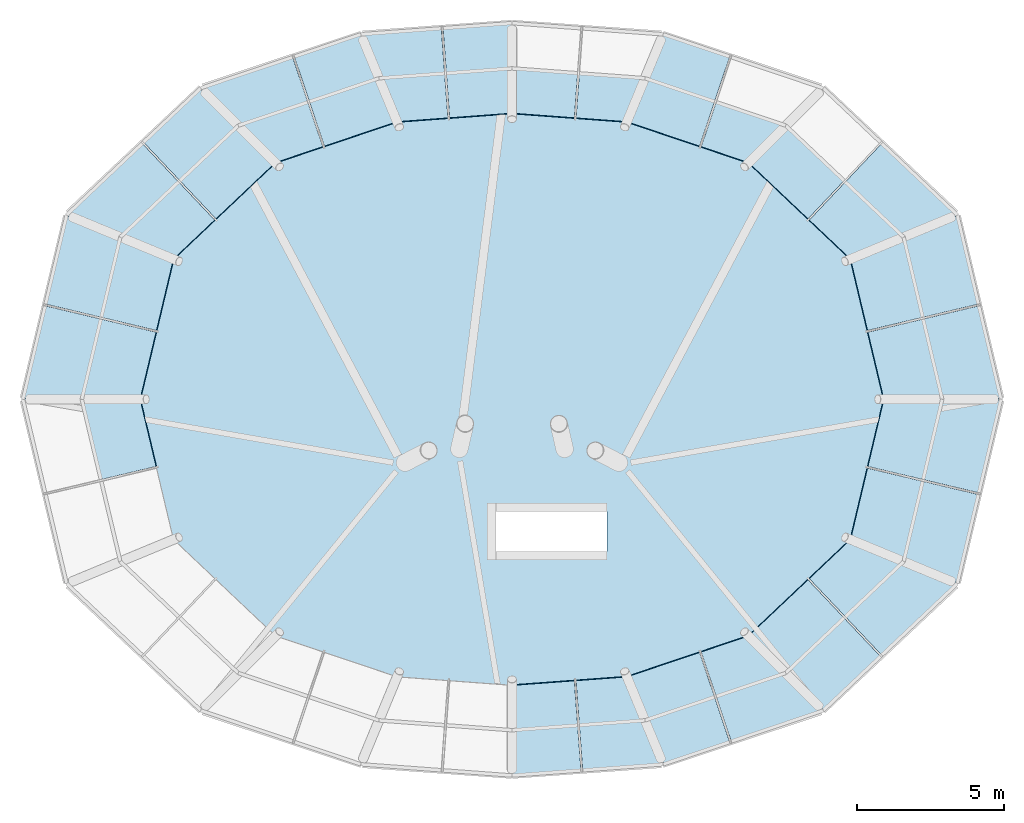
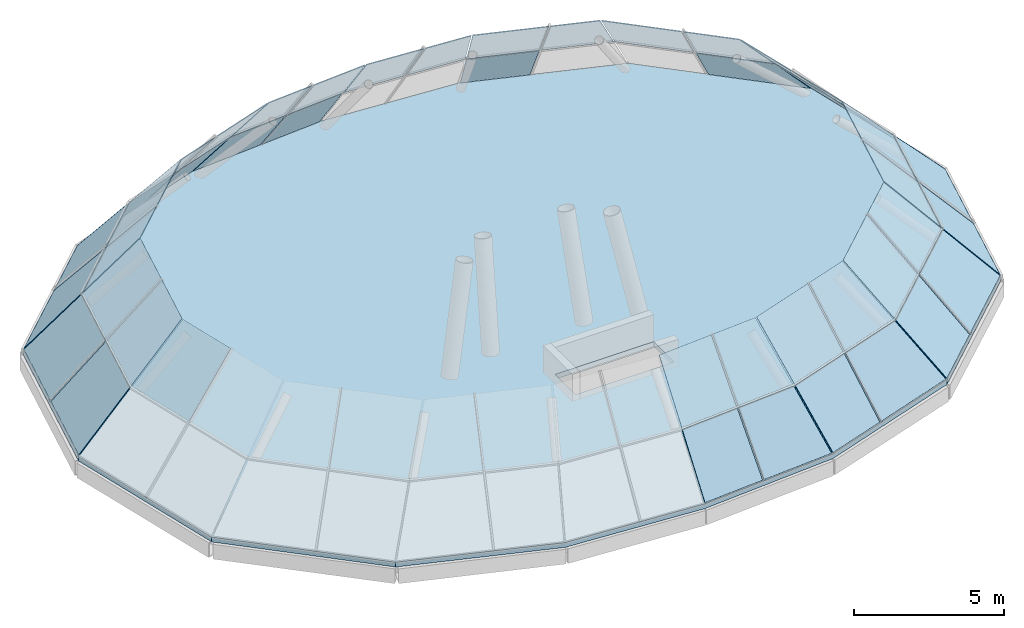
# One storey, part 3 of 4: 45 plates, 1 slab, 13 elements without a shape of their own.
"""IFC4 building model written with IfcOpenShell, lengths in metres."""

from ifc_helpers import new_model, si_unit, direction, frame, origin, place, context, subcontext, project, spatial, polyline, outline, extrude, material, layer, layer_set, type_object, element, aggregate, save


model = new_model("IFC4")

# Units and contexts
model_context = context("Model", 3, precision=1e-05, world=origin(), true_north=direction((0.0, 1.0)))
body_context = subcontext(model_context, "Body", "Model", "MODEL_VIEW")
ifc_project = project(units=[si_unit("LENGTHUNIT", "METRE"), si_unit("AREAUNIT", "SQUARE_METRE"), si_unit("VOLUMEUNIT", "CUBIC_METRE"), si_unit("PLANEANGLEUNIT", "RADIAN"), si_unit("MASSUNIT", "GRAM", prefix="KILO")], contexts=[model_context])

# Site, building, storey
site_placement = place(None, origin())
site = spatial("IfcSite", under=ifc_project, at=site_placement, CompositionType="ELEMENT")
building_placement = place(site_placement, origin())
building = spatial("IfcBuilding", under=site, at=building_placement, Name="Rubra Terraces Tower", CompositionType="ELEMENT")
storey_placement = place(building_placement, frame((0.0, 0.0, 324.60009765625)))
storey = spatial("IfcBuildingStorey", under=building, at=storey_placement, Name="L80", CompositionType="ELEMENT", Elevation=324.60009765625)

# Curtain wall, plates
ifc_material_1 = material(Name="Aluminium and glass", Category="aluminium")
curtain_wall_type = type_object("IfcCurtainWallType", Name="Curtain wall Crown glazing", PredefinedType="NOTDEFINED", material=ifc_material_1)
curtain_wall_1_placement = place(storey_placement, origin())
curtain_wall_1 = element("IfcCurtainWall", 1, at=curtain_wall_1_placement, inside=storey, type_object=curtain_wall_type, Name="Crown glazing L80 facet 1", PredefinedType="NOTDEFINED")
ifc_material_2 = material(Name="Clear glass, laminated", Category="glass")
ifc_layer_1 = layer(ifc_material_2, 0.028076171875)
ifc_layer_set_1 = layer_set([ifc_layer_1], Name="Clear glass, laminated")
plate_type = type_object("IfcPlateType", Name="Crown glazing glass panel 28", PredefinedType="CURTAIN_PANEL", material=ifc_layer_set_1)
plate_1_placement = place(storey_placement, frame((16.627197265625, 0.029296875, 0.021484375), z_axis=(0.71285843792, 0.169347693749, 0.680554337366), x_axis=(-0.231120588335, 0.972925112, -9.348755e-06)))
plate_1 = element("IfcPlate", 2, at=plate_1_placement, type_object=plate_type, Name="Crown glazing L80 facet 1 panel 1.1", PredefinedType="CURTAIN_PANEL", context=body_context, shape_type="SweptSolid", body=[
    extrude(outline(polyline([(0.0, 0.0), (3.237802080904114, -5.551115123125783e-17), (3.237898194817458, 2.80698456710087), (0.4537580609084077, 2.806907730954159), (0.0, 0.0)])), origin(), (0.0, 0.0, -1.0), 0.028076171875),
])
plate_2_placement = place(storey_placement, frame((14.622314453125, 0.029296875, 2.12158203125), z_axis=(0.712816667413, 0.16931370534, 0.680606544079), x_axis=(-0.23108467886, 0.972933641612, -1.4676961e-05)))
plate_2 = element("IfcPlate", 3, at=plate_2_placement, type_object=plate_type, Name="Crown glazing L80 facet 1 panel 1.2", PredefinedType="CURTAIN_PANEL", context=body_context, shape_type="SweptSolid", body=[
    extrude(outline(polyline([(0.0, 0.0), (2.774549717283288, 5.551115123125783e-17), (2.7743832496184133, 2.807184626951604), (0.4537330159550948, 2.807082556190945), (0.0, 0.0)])), origin(), (0.0, 0.0, -1.0), 0.028076171875),
])
plate_3_placement = place(storey_placement, frame((15.865234375, 3.23779296875, 0.021484375), z_axis=(0.712814782191, 0.169324731826, 0.680605775381), x_axis=(-0.23111703747, 0.972925955543, 4.722581e-06)))
plate_3 = element("IfcPlate", 4, at=plate_3_placement, type_object=plate_type, Name="Crown glazing L80 facet 1 panel 2.1", PredefinedType="CURTAIN_PANEL", context=body_context, shape_type="SweptSolid", body=[
    extrude(outline(polyline([(0.0, 0.0), (3.089759429979913, -1.1102230246251565e-16), (2.7827766055673635, 2.8071083744738665), (0.0001745065171635438, 2.8071462270734004), (0.0, 0.0)])), origin(), (0.0, 0.0, -1.0), 0.028076171875),
])
plate_4_placement = place(storey_placement, frame((13.96728515625, 2.787109375, 2.12158203125), z_axis=(0.712806277021, 0.169317920075, 0.680616377544), x_axis=(-0.231111487954, 0.972927273801, 5.431725e-06)))
plate_4 = element("IfcPlate", 5, at=plate_4_placement, type_object=plate_type, Name="Crown glazing L80 facet 1 panel 2.2", PredefinedType="CURTAIN_PANEL", context=body_context, shape_type="SweptSolid", body=[
    extrude(outline(polyline([(0.0, 0.0), (2.7760877491224365, 5.551115123125783e-17), (2.468857954617071, 2.807145745420636), (-7.246390789254017e-05, 2.8071846315023343), (0.0, 0.0)])), origin(), (0.0, 0.0, -1.0), 0.028076171875),
])
aggregate(curtain_wall_1, [plate_1, plate_2, plate_3, plate_4])

curtain_wall_2_placement = place(storey_placement, origin())
curtain_wall_2 = element("IfcCurtainWall", 6, at=curtain_wall_2_placement, inside=storey, type_object=curtain_wall_type, Name="Crown glazing L80 facet 2", PredefinedType="NOTDEFINED")
plate_5_placement = place(storey_placement, frame((15.122314453125, 6.293701171875, 0.021728515625), z_axis=(0.521231300107, 0.551218643577, 0.651518179917), x_axis=(-0.726594927742, 0.687066089236, 5.84914e-07)))
plate_5 = element("IfcPlate", 7, at=plate_5_placement, type_object=plate_type, Name="Crown glazing L80 facet 2 panel 1.1", PredefinedType="CURTAIN_PANEL", context=body_context, shape_type="SweptSolid", body=[
    extrude(outline(polyline([(0.0, 0.0), (3.5018575796768907, -2.220446049250313e-16), (3.501848388412665, 2.71065769343857), (0.7902706555404615, 2.7106624840606326), (0.0, 0.0)])), origin(), (0.0, 0.0, -1.0), 0.028076171875),
])
plate_6_placement = place(storey_placement, frame((13.296630859375, 5.53759765625, 2.12158203125), z_axis=(0.5212496405, 0.55120790489, 0.651512592254), x_axis=(-0.726558771583, 0.687104322937, -2.8910872e-05)))
plate_6 = element("IfcPlate", 8, at=plate_6_placement, type_object=plate_type, Name="Crown glazing L80 facet 2 panel 1.2", PredefinedType="CURTAIN_PANEL", context=body_context, shape_type="SweptSolid", body=[
    extrude(outline(polyline([(0.0, 0.0), (2.6949920990184832, 1.1102230246251565e-16), (2.694838945373474, 2.71106776126842), (0.7901170588863585, 2.7108924711093687), (0.0, 0.0)])), origin(), (0.0, 0.0, -1.0), 0.028076171875),
])
plate_7_placement = place(storey_placement, frame((11.295166015625, 7.430419921875, 2.12158203125), z_axis=(0.521256221308, 0.551227520612, 0.651490730761), x_axis=(-0.726592683083, 0.687068462861, 1.5213018e-05)))
plate_7 = element("IfcPlate", 9, at=plate_7_placement, type_object=plate_type, Name="Crown glazing L80 facet 2 panel 2.2", PredefinedType="CURTAIN_PANEL", context=body_context, shape_type="SweptSolid", body=[
    extrude(outline(polyline([(0.0, 0.0), (2.7038074352250394, -2.220446049250313e-16), (2.753215049809622, 2.71084276702722), (0.00019251495863989833, 2.7109521905168386), (0.0, 0.0)])), origin(), (0.0, 0.0, -1.0), 0.028076171875),
])
aggregate(curtain_wall_2, [plate_5, plate_6, plate_7])

curtain_wall_3_placement = place(storey_placement, origin())
curtain_wall_3 = element("IfcCurtainWall", 10, at=curtain_wall_3_placement, inside=storey, type_object=curtain_wall_type, Name="Crown glazing L80 facet 3", PredefinedType="NOTDEFINED")
plate_8_placement = place(storey_placement, frame((9.27978515625, 9.31787109375, 2.122802734375), z_axis=(0.252543427006, 0.751124807268, 0.609945359342), x_axis=(-0.947865497263, 0.318670673942, 2.5826039e-05)))
plate_8 = element("IfcPlate", 11, at=plate_8_placement, type_object=plate_type, Name="Crown glazing L80 facet 3 panel 1.2", PredefinedType="CURTAIN_PANEL", context=body_context, shape_type="SweptSolid", body=[
    extrude(outline(polyline([(0.0, 0.0), (2.459497191582495, 1.6653345369377348e-16), (2.4596463834739977, 2.5921542239064874), (0.785393496401433, 2.5922889444197432), (0.0, 0.0)])), origin(), (0.0, 0.0, -1.0), 0.028076171875),
])
plate_9_placement = place(storey_placement, frame((7.406494140625, 11.652587890625, 0.022705078125), z_axis=(0.25257472231, 0.751149205905, 0.609902352937), x_axis=(-0.947854864341, 0.318702299659, 1.8363337e-05)))
plate_9 = element("IfcPlate", 12, at=plate_9_placement, type_object=plate_type, Name="Crown glazing L80 facet 3 panel 2.1", PredefinedType="CURTAIN_PANEL", context=body_context, shape_type="SweptSolid", body=[
    extrude(outline(polyline([(0.0, 0.0), (2.3588230537804526, 5.551115123125783e-17), (2.467067272396559, 2.5923770171735088), (3.3080753867012586e-06, 2.5924888430531956), (0.0, 0.0)])), origin(), (0.0, 0.0, -1.0), 0.028076171875),
])
plate_10_placement = place(storey_placement, frame((6.8916015625, 10.12060546875, 2.122802734375), z_axis=(0.252550558825, 0.751135726407, 0.609928959594), x_axis=(-0.94785478457, 0.31870253719, -1.2470717e-05)))
plate_10 = element("IfcPlate", 13, at=plate_10_placement, type_object=plate_type, Name="Crown glazing L80 facet 3 panel 2.2", PredefinedType="CURTAIN_PANEL", context=body_context, shape_type="SweptSolid", body=[
    extrude(outline(polyline([(0.0, 0.0), (2.4696114878814104, -5.551115123125783e-17), (2.57802337643436, 2.5922336630521756), (1.7376334209893265e-05, 2.592154229741701), (0.0, 0.0)])), origin(), (0.0, 0.0, -1.0), 0.028076171875),
])
aggregate(curtain_wall_3, [plate_8, plate_9, plate_10])

curtain_wall_4_placement = place(storey_placement, origin())
curtain_wall_4 = element("IfcCurtainWall", 14, at=curtain_wall_4_placement, inside=storey, type_object=curtain_wall_type, Name="Crown glazing L80 facet 4", PredefinedType="NOTDEFINED")
plate_11_placement = place(storey_placement, frame((4.4921875, 10.9189453125, 2.123779296875), z_axis=(0.059536778857, 0.80452658226, 0.590924995579), x_axis=(-0.997271714306, 0.07381820409, -2.4304149e-05)))
plate_11 = element("IfcPlate", 15, at=plate_11_placement, type_object=plate_type, Name="Crown glazing L80 facet 4 panel 1.2", PredefinedType="CURTAIN_PANEL", context=body_context, shape_type="SweptSolid", body=[
    extrude(outline(polyline([(0.0, 0.0), (2.2049958674022205, -1.3877787807814457e-17), (2.2050536647690797, 2.543984461459717), (0.49654548912212165, 2.543866559807763), (0.0, 0.0)])), origin(), (0.0, 0.0, -1.0), 0.028076171875),
])
plate_12_placement = place(storey_placement, frame((2.2333984375, 11.086181640625, 2.123779296875), z_axis=(0.059571962352, 0.804518665775, 0.590932227688), x_axis=(-0.997270746102, 0.073831284963, 1.8155162e-05)))
plate_12 = element("IfcPlate", 16, at=plate_12_placement, type_object=plate_type, Name="Crown glazing L80 facet 4 panel 2.2", PredefinedType="CURTAIN_PANEL", context=body_context, shape_type="SweptSolid", body=[
    extrude(outline(polyline([(0.0, 0.0), (2.2096399054377747, -2.7755575615628914e-17), (2.0983894803717917, 2.543887510888892), (0.00012521504149981105, 2.5439844597454147), (0.0, 0.0)])), origin(), (0.0, 0.0, -1.0), 0.028076171875),
])
aggregate(curtain_wall_4, [plate_11, plate_12])

curtain_wall_5_placement = place(storey_placement, origin())
curtain_wall_5 = element("IfcCurtainWall", 17, at=curtain_wall_5_placement, inside=storey, type_object=curtain_wall_type, Name="Crown glazing L80 facet 5", PredefinedType="NOTDEFINED")
plate_13_placement = place(storey_placement, frame((-0.02978515625, 12.791015625, 0.024169921875), z_axis=(-0.059540643361, 0.804558686294, 0.590880895018), x_axis=(-0.997273699862, -0.073791377136, -1.4934056e-05)))
plate_13 = element("IfcPlate", 18, at=plate_13_placement, type_object=plate_type, Name="Crown glazing L80 facet 5 panel 1.1", PredefinedType="CURTAIN_PANEL", context=body_context, shape_type="SweptSolid", body=[
    extrude(outline(polyline([(0.0, 0.0), (2.323224843370155, 1.3877787807814457e-17), (2.3232355177480857, 2.542951322343405), (0.11114284605347767, 2.5428673682723706), (0.0, 0.0)])), origin(), (0.0, 0.0, -1.0), 0.028076171875),
])
plate_14_placement = place(storey_placement, frame((-0.02978515625, 11.248779296875, 2.1240234375), z_axis=(-0.059533288081, 0.80461387893, 0.590806477151), x_axis=(-0.997273461418, -0.07379460057, 8.787199e-06)))
plate_14 = element("IfcPlate", 19, at=plate_14_placement, type_object=plate_type, Name="Crown glazing L80 facet 5 panel 1.2", PredefinedType="CURTAIN_PANEL", context=body_context, shape_type="SweptSolid", body=[
    extrude(outline(polyline([(0.0, 0.0), (2.209639906236211, 1.3877787807814457e-17), (2.2094426128715403, 2.5430150806153824), (0.11119636907789862, 2.543061998848956), (0.0, 0.0)])), origin(), (0.0, 0.0, -1.0), 0.028076171875),
])
plate_15_placement = place(storey_placement, frame((-2.406494140625, 12.615234375, 0.024169921875), z_axis=(-0.059536752937, 0.804545315701, 0.590899492328), x_axis=(-0.997273156295, -0.073798724466, 2.1249e-08)))
plate_15 = element("IfcPlate", 20, at=plate_15_placement, type_object=plate_type, Name="Crown glazing L80 facet 5 panel 2.1", PredefinedType="CURTAIN_PANEL", context=body_context, shape_type="SweptSolid", body=[
    extrude(outline(polyline([(0.0, 0.0), (2.7127194333423694, -1.3877787807814457e-17), (2.2165456637848022, 2.5429511926691823), (5.242587223602964e-05, 2.5429513225033036), (0.0, 0.0)])), origin(), (0.0, 0.0, -1.0), 0.028076171875),
])
plate_16_placement = place(storey_placement, frame((-2.293212890625, 11.081298828125, 2.1240234375), z_axis=(-0.059542184536, 0.804599629749, 0.590824985989), x_axis=(-0.997274349007, -0.073782601041, -2.4440135e-05)))
plate_16 = element("IfcPlate", 21, at=plate_16_placement, type_object=plate_type, Name="Crown glazing L80 facet 5 panel 2.2", PredefinedType="CURTAIN_PANEL", context=body_context, shape_type="SweptSolid", body=[
    extrude(outline(polyline([(0.0, 0.0), (2.204734374864671, 0.0), (1.7084861229726995, 2.5431336216046176), (-0.0002835451922046242, 2.543015071038009), (0.0, 0.0)])), origin(), (0.0, 0.0, -1.0), 0.028076171875),
])
aggregate(curtain_wall_5, [plate_13, plate_14, plate_15, plate_16])

curtain_wall_6_placement = place(storey_placement, origin())
curtain_wall_6 = element("IfcCurtainWall", 22, at=curtain_wall_6_placement, inside=storey, type_object=curtain_wall_type, Name="Crown glazing L80 facet 6", PredefinedType="NOTDEFINED")
plate_17_placement = place(storey_placement, frame((-5.17041015625, 12.403564453125, 0.023681640625), z_axis=(-0.252577156152, 0.751156444075, 0.609892430446), x_axis=(-0.947854864195, -0.318702300095, -1.8363215e-05)))
plate_17 = element("IfcPlate", 23, at=plate_17_placement, type_object=plate_type, Name="Crown glazing L80 facet 6 panel 1.1", PredefinedType="CURTAIN_PANEL", context=body_context, shape_type="SweptSolid", body=[
    extrude(outline(polyline([(0.0, 0.0), (2.358823053780432, 0.0), (2.3588157532335616, 2.5899993011398212), (-0.10824821108767366, 2.589887477079428), (0.0, 0.0)])), origin(), (0.0, 0.0, -1.0), 0.028076171875),
])
plate_18_placement = place(storey_placement, frame((-4.55029296875, 10.906982421875, 2.123779296875), z_axis=(-0.252516442579, 0.751148258231, 0.609927651762), x_axis=(-0.947875068224, -0.318642205186, -1.0661614e-05)))
plate_18 = element("IfcPlate", 24, at=plate_18_placement, type_object=plate_type, Name="Crown glazing L80 facet 6 panel 1.2", PredefinedType="CURTAIN_PANEL", context=body_context, shape_type="SweptSolid", body=[
    extrude(outline(polyline([(0.0, 0.0), (2.4695336868763635, 5.551115123125783e-17), (2.4696734591593597, 2.5897583826989288), (-0.10833254140320743, 2.589690473762774), (0.0, 0.0)])), origin(), (0.0, 0.0, -1.0), 0.028076171875),
])
plate_19_placement = place(storey_placement, frame((-7.463134765625, 11.6328125, 0.023681640625), z_axis=(-0.252576637186, 0.751156784072, 0.609892226619), x_axis=(-0.947847314142, -0.318724754129, 1.3402605e-05)))
plate_19 = element("IfcPlate", 25, at=plate_19_placement, type_object=plate_type, Name="Crown glazing L80 facet 6 panel 2.1", PredefinedType="CURTAIN_PANEL", context=body_context, shape_type="SweptSolid", body=[
    extrude(outline(polyline([(0.0, 0.0), (3.262191152695558, 1.1102230246251565e-16), (2.4776585938950664, 2.589902227862134), (9.532007110911597e-05, 2.5899992993777188), (0.0, 0.0)])), origin(), (0.0, 0.0, -1.0), 0.028076171875),
])
plate_20_placement = place(storey_placement, frame((-6.947998046875, 10.100830078125, 2.123779296875), z_axis=(-0.252539094438, 0.751158722337, 0.609905385807), x_axis=(-0.947865513634, -0.318670626292, -1.439519e-06)))
plate_20 = element("IfcPlate", 26, at=plate_20_placement, type_object=plate_type, Name="Crown glazing L80 facet 6 panel 2.2", PredefinedType="CURTAIN_PANEL", context=body_context, shape_type="SweptSolid", body=[
    extrude(outline(polyline([(0.0, 0.0), (2.45926577992541, 0.0), (1.6746125608966398, 2.5896721962024323), (-0.0001031516820696157, 2.5896646868788626), (0.0, 0.0)])), origin(), (0.0, 0.0, -1.0), 0.028076171875),
])
aggregate(curtain_wall_6, [plate_17, plate_18, plate_19, plate_20])

curtain_wall_7_placement = place(storey_placement, origin())
curtain_wall_7 = element("IfcCurtainWall", 27, at=curtain_wall_7_placement, inside=storey, type_object=curtain_wall_type, Name="Crown glazing L80 facet 7", PredefinedType="NOTDEFINED")
plate_21_placement = place(storey_placement, frame((-10.60595703125, 10.563720703125, 0.022705078125), z_axis=(-0.521221781612, 0.551131350479, 0.651599638499), x_axis=(-0.726536551795, -0.687127818255, 1.6891497e-05)))
plate_21 = element("IfcPlate", 28, at=plate_21_placement, type_object=plate_type, Name="Crown glazing L80 facet 7 panel 1.1", PredefinedType="CURTAIN_PANEL", context=body_context, shape_type="SweptSolid", body=[
    extrude(outline(polyline([(0.0, 0.0), (2.653369912037377, 2.220446049250313e-16), (2.6536035368456026, 2.7082765475998487), (-0.04899110957485977, 2.7083958129146812), (0.0, 0.0)])), origin(), (0.0, 0.0, -1.0), 0.028076171875),
])
plate_22_placement = place(storey_placement, frame((-9.330078125, 9.28759765625, 2.122802734375), z_axis=(-0.521193790921, 0.551127562073, 0.651625231731), x_axis=(-0.726562433245, -0.687100451606, 2.57616e-07)))
plate_22 = element("IfcPlate", 29, at=plate_22_placement, type_object=plate_type, Name="Crown glazing L80 facet 7 panel 1.2", PredefinedType="CURTAIN_PANEL", context=body_context, shape_type="SweptSolid", body=[
    extrude(outline(polyline([(0.0, 0.0), (2.703630047402002, 1.1102230246251565e-16), (2.7037630298042257, 2.7080913598582135), (-0.04925950794451361, 2.7080932130503226), (0.0, 0.0)])), origin(), (0.0, 0.0, -1.0), 0.028076171875),
])
plate_23_placement = place(storey_placement, frame((-12.577392578125, 8.69921875, 0.022705078125), z_axis=(-0.521216930383, 0.551173639466, 0.651567748312), x_axis=(-0.726571083135, -0.687091304763, 8.388131e-06)))
plate_23 = element("IfcPlate", 30, at=plate_23_placement, type_object=plate_type, Name="Crown glazing L80 facet 7 panel 2.1", PredefinedType="CURTAIN_PANEL", context=body_context, shape_type="SweptSolid", body=[
    extrude(outline(polyline([(0.0, 0.0), (3.50133505942546, 0.0), (2.712050334430776, 2.7082078519360637), (0.0001274706763889154, 2.7082765551749945), (0.0, 0.0)])), origin(), (0.0, 0.0, -1.0), 0.028076171875),
])
plate_24_placement = place(storey_placement, frame((-11.338134765625, 7.388671875, 2.122802734375), z_axis=(-0.521209678618, 0.551125382844, 0.651614367014), x_axis=(-0.72656459476, -0.687098165544, -2.3417827e-05)))
plate_24 = element("IfcPlate", 31, at=plate_24_placement, type_object=plate_type, Name="Crown glazing L80 facet 7 panel 2.2", PredefinedType="CURTAIN_PANEL", context=body_context, shape_type="SweptSolid", body=[
    extrude(outline(polyline([(0.0, 0.0), (2.6944792174547336, 2.220446049250313e-16), (1.9049684334548218, 2.7081177688556215), (-8.895212553096084e-05, 2.707975772814569), (0.0, 0.0)])), origin(), (0.0, 0.0, -1.0), 0.028076171875),
])
aggregate(curtain_wall_7, [plate_21, plate_22, plate_23, plate_24])

curtain_wall_8_placement = place(storey_placement, origin())
curtain_wall_8 = element("IfcCurtainWall", 32, at=curtain_wall_8_placement, inside=storey, type_object=curtain_wall_type, Name="Crown glazing L80 facet 8", PredefinedType="NOTDEFINED")
plate_25_placement = place(storey_placement, frame((-15.15087890625, 6.243896484375, 0.021728515625), z_axis=(-0.712857694972, 0.169334925491, 0.680558292675), x_axis=(-0.231117036874, -0.972925955684, -4.722535e-06)))
plate_25 = element("IfcPlate", 33, at=plate_25_placement, type_object=plate_type, Name="Crown glazing L80 facet 8 panel 1.1", PredefinedType="CURTAIN_PANEL", context=body_context, shape_type="SweptSolid", body=[
    extrude(outline(polyline([(0.0, 0.0), (3.089759429979904, -5.551115123125783e-17), (3.089697775993785, 2.806644032778374), (0.307095676943559, 2.80660618281964), (0.0, 0.0)])), origin(), (0.0, 0.0, -1.0), 0.028076171875),
])
plate_26_placement = place(storey_placement, frame((-13.325439453125, 5.488037109375, 2.12158203125), z_axis=(-0.712895366951, 0.169330981051, 0.680519812082), x_axis=(-0.231105867617, -0.972928608808, -1.0795391e-05)))
plate_26 = element("IfcPlate", 34, at=plate_26_placement, type_object=plate_type, Name="Crown glazing L80 facet 8 panel 1.2", PredefinedType="CURTAIN_PANEL", context=body_context, shape_type="SweptSolid", body=[
    extrude(outline(polyline([(0.0, 0.0), (2.776087748861541, -5.551115123125783e-17), (2.776273063475116, 2.8068613154484794), (0.3071051134535026, 2.8067840364909475), (0.0, 0.0)])), origin(), (0.0, 0.0, -1.0), 0.028076171875),
])
plate_27_placement = place(storey_placement, frame((-15.87890625, 3.179443359375, 0.021728515625), z_axis=(-0.712844901606, 0.169314773696, 0.680576706671), x_axis=(-0.231099986627, -0.972930005743, -1.03199e-05)))
plate_27 = element("IfcPlate", 35, at=plate_27_placement, type_object=plate_type, Name="Crown glazing L80 facet 8 panel 2.1", PredefinedType="CURTAIN_PANEL", context=body_context, shape_type="SweptSolid", body=[
    extrude(outline(polyline([(0.0, 0.0), (3.2378020808373726, -5.551115123125783e-17), (2.7840440200530945, 2.8067288522976623), (-3.969051269142067e-05, 2.8066440328273883), (0.0, 0.0)])), origin(), (0.0, 0.0, -1.0), 0.028076171875),
])
plate_28_placement = place(storey_placement, frame((-13.98095703125, 2.728515625, 2.12158203125), z_axis=(-0.712875615765, 0.169371156937, 0.680530504566), x_axis=(-0.231162557488, -0.972915141175, -9.385984e-06)))
plate_28 = element("IfcPlate", 36, at=plate_28_placement, type_object=plate_type, Name="Crown glazing L80 facet 8 panel 2.2", PredefinedType="CURTAIN_PANEL", context=body_context, shape_type="SweptSolid", body=[
    extrude(outline(polyline([(0.0, 0.0), (2.7743686131229093, 0.0), (2.320489620239314, 2.806888178795628), (-0.00016061520679242492, 2.8068229126862416), (0.0, 0.0)])), origin(), (0.0, 0.0, -1.0), 0.028076171875),
])
aggregate(curtain_wall_8, [plate_25, plate_26, plate_27, plate_28])

# Curtain wall, plate
curtain_wall_9_placement = place(storey_placement, origin())
curtain_wall_9 = element("IfcCurtainWall", 37, at=curtain_wall_9_placement, inside=storey, type_object=curtain_wall_type, Name="Crown glazing L80 facet 9", PredefinedType="NOTDEFINED")
plate_29_placement = place(storey_placement, frame((-14.622314453125, -0.029296875, 2.12158203125), z_axis=(-0.712816667413, -0.16931370534, 0.680606544079), x_axis=(0.23108467886, -0.972933641612, -1.4676961e-05)))
plate_29 = element("IfcPlate", 38, at=plate_29_placement, type_object=plate_type, Name="Crown glazing L80 facet 9 panel 1.2", PredefinedType="CURTAIN_PANEL", context=body_context, shape_type="SweptSolid", body=[
    extrude(outline(polyline([(0.0, 0.0), (2.774549717283288, 5.551115123125783e-17), (2.7743832496184133, 2.807184626951604), (0.4537330159550948, 2.807082556190945), (0.0, 0.0)])), origin(), (0.0, 0.0, -1.0), 0.028076171875),
])
aggregate(curtain_wall_9, [plate_29])

# Curtain wall, plates
curtain_wall_10_placement = place(storey_placement, origin())
curtain_wall_10 = element("IfcCurtainWall", 39, at=curtain_wall_10_placement, inside=storey, type_object=curtain_wall_type, Name="Crown glazing L80 facet 13", PredefinedType="NOTDEFINED")
plate_30_placement = place(storey_placement, frame((0.02978515625, -12.791015625, 0.024169921875), z_axis=(0.059540643361, -0.804558686294, 0.590880895018), x_axis=(0.997273699862, 0.073791377136, -1.4934056e-05)))
plate_30 = element("IfcPlate", 40, at=plate_30_placement, type_object=plate_type, Name="Crown glazing L80 facet 13 panel 1.1", PredefinedType="CURTAIN_PANEL", context=body_context, shape_type="SweptSolid", body=[
    extrude(outline(polyline([(0.0, 0.0), (2.323224843370155, 1.3877787807814457e-17), (2.3232355177480857, 2.542951322343405), (0.11114284605347767, 2.5428673682723706), (0.0, 0.0)])), origin(), (0.0, 0.0, -1.0), 0.028076171875),
])
plate_31_placement = place(storey_placement, frame((0.02978515625, -11.248779296875, 2.1240234375), z_axis=(0.059533288081, -0.80461387893, 0.590806477151), x_axis=(0.997273461418, 0.07379460057, 8.787199e-06)))
plate_31 = element("IfcPlate", 41, at=plate_31_placement, type_object=plate_type, Name="Crown glazing L80 facet 13 panel 1.2", PredefinedType="CURTAIN_PANEL", context=body_context, shape_type="SweptSolid", body=[
    extrude(outline(polyline([(0.0, 0.0), (2.209639906236211, 1.3877787807814457e-17), (2.2094426128715403, 2.5430150806153824), (0.11119636907789862, 2.543061998848956), (0.0, 0.0)])), origin(), (0.0, 0.0, -1.0), 0.028076171875),
])
plate_32_placement = place(storey_placement, frame((2.406494140625, -12.615234375, 0.024169921875), z_axis=(0.059536752937, -0.804545315701, 0.590899492328), x_axis=(0.997273156295, 0.073798724466, 2.1249e-08)))
plate_32 = element("IfcPlate", 42, at=plate_32_placement, type_object=plate_type, Name="Crown glazing L80 facet 13 panel 2.1", PredefinedType="CURTAIN_PANEL", context=body_context, shape_type="SweptSolid", body=[
    extrude(outline(polyline([(0.0, 0.0), (2.7127194333423694, -1.3877787807814457e-17), (2.2165456637848022, 2.5429511926691823), (5.242587223602964e-05, 2.5429513225033036), (0.0, 0.0)])), origin(), (0.0, 0.0, -1.0), 0.028076171875),
])
plate_33_placement = place(storey_placement, frame((2.293212890625, -11.081298828125, 2.1240234375), z_axis=(0.059542184536, -0.804599629749, 0.590824985989), x_axis=(0.997274349007, 0.073782601041, -2.4440135e-05)))
plate_33 = element("IfcPlate", 43, at=plate_33_placement, type_object=plate_type, Name="Crown glazing L80 facet 13 panel 2.2", PredefinedType="CURTAIN_PANEL", context=body_context, shape_type="SweptSolid", body=[
    extrude(outline(polyline([(0.0, 0.0), (2.204734374864671, 0.0), (1.7084861229726995, 2.5431336216046176), (-0.0002835451922046242, 2.543015071038009), (0.0, 0.0)])), origin(), (0.0, 0.0, -1.0), 0.028076171875),
])
aggregate(curtain_wall_10, [plate_30, plate_31, plate_32, plate_33])

curtain_wall_11_placement = place(storey_placement, origin())
curtain_wall_11 = element("IfcCurtainWall", 44, at=curtain_wall_11_placement, inside=storey, type_object=curtain_wall_type, Name="Crown glazing L80 facet 14", PredefinedType="NOTDEFINED")
plate_34_placement = place(storey_placement, frame((5.17041015625, -12.403564453125, 0.023681640625), z_axis=(0.252577156152, -0.751156444075, 0.609892430446), x_axis=(0.947854864195, 0.318702300095, -1.8363215e-05)))
plate_34 = element("IfcPlate", 45, at=plate_34_placement, type_object=plate_type, Name="Crown glazing L80 facet 14 panel 1.1", PredefinedType="CURTAIN_PANEL", context=body_context, shape_type="SweptSolid", body=[
    extrude(outline(polyline([(0.0, 0.0), (2.358823053780432, 0.0), (2.3588157532335616, 2.5899993011398212), (-0.10824821108767366, 2.589887477079428), (0.0, 0.0)])), origin(), (0.0, 0.0, -1.0), 0.028076171875),
])
plate_35_placement = place(storey_placement, frame((4.55029296875, -10.906982421875, 2.123779296875), z_axis=(0.252516442579, -0.751148258231, 0.609927651762), x_axis=(0.947875068224, 0.318642205186, -1.0661614e-05)))
plate_35 = element("IfcPlate", 46, at=plate_35_placement, type_object=plate_type, Name="Crown glazing L80 facet 14 panel 1.2", PredefinedType="CURTAIN_PANEL", context=body_context, shape_type="SweptSolid", body=[
    extrude(outline(polyline([(0.0, 0.0), (2.4695336868763635, 5.551115123125783e-17), (2.4696734591593597, 2.5897583826989288), (-0.10833254140320743, 2.589690473762774), (0.0, 0.0)])), origin(), (0.0, 0.0, -1.0), 0.028076171875),
])
plate_36_placement = place(storey_placement, frame((7.463134765625, -11.6328125, 0.023681640625), z_axis=(0.252576637186, -0.751156784072, 0.609892226619), x_axis=(0.947847314142, 0.318724754129, 1.3402605e-05)))
plate_36 = element("IfcPlate", 47, at=plate_36_placement, type_object=plate_type, Name="Crown glazing L80 facet 14 panel 2.1", PredefinedType="CURTAIN_PANEL", context=body_context, shape_type="SweptSolid", body=[
    extrude(outline(polyline([(0.0, 0.0), (3.262191152695558, 1.1102230246251565e-16), (2.4776585938950664, 2.589902227862134), (9.532007110911597e-05, 2.5899992993777188), (0.0, 0.0)])), origin(), (0.0, 0.0, -1.0), 0.028076171875),
])
plate_37_placement = place(storey_placement, frame((6.947998046875, -10.100830078125, 2.123779296875), z_axis=(0.252539094438, -0.751158722337, 0.609905385807), x_axis=(0.947865513634, 0.318670626292, -1.439519e-06)))
plate_37 = element("IfcPlate", 48, at=plate_37_placement, type_object=plate_type, Name="Crown glazing L80 facet 14 panel 2.2", PredefinedType="CURTAIN_PANEL", context=body_context, shape_type="SweptSolid", body=[
    extrude(outline(polyline([(0.0, 0.0), (2.45926577992541, 0.0), (1.6746125608966398, 2.5896721962024323), (-0.0001031516820696157, 2.5896646868788626), (0.0, 0.0)])), origin(), (0.0, 0.0, -1.0), 0.028076171875),
])
aggregate(curtain_wall_11, [plate_34, plate_35, plate_36, plate_37])

curtain_wall_12_placement = place(storey_placement, origin())
curtain_wall_12 = element("IfcCurtainWall", 49, at=curtain_wall_12_placement, inside=storey, type_object=curtain_wall_type, Name="Crown glazing L80 facet 15", PredefinedType="NOTDEFINED")
plate_38_placement = place(storey_placement, frame((10.60595703125, -10.563720703125, 0.022705078125), z_axis=(0.521221781612, -0.551131350479, 0.651599638499), x_axis=(0.726536551795, 0.687127818255, 1.6891497e-05)))
plate_38 = element("IfcPlate", 50, at=plate_38_placement, type_object=plate_type, Name="Crown glazing L80 facet 15 panel 1.1", PredefinedType="CURTAIN_PANEL", context=body_context, shape_type="SweptSolid", body=[
    extrude(outline(polyline([(0.0, 0.0), (2.653369912037377, 2.220446049250313e-16), (2.6536035368456026, 2.7082765475998487), (-0.04899110957485977, 2.7083958129146812), (0.0, 0.0)])), origin(), (0.0, 0.0, -1.0), 0.028076171875),
])
plate_39_placement = place(storey_placement, frame((9.330078125, -9.28759765625, 2.122802734375), z_axis=(0.521193790921, -0.551127562073, 0.651625231731), x_axis=(0.726562433245, 0.687100451606, 2.57616e-07)))
plate_39 = element("IfcPlate", 51, at=plate_39_placement, type_object=plate_type, Name="Crown glazing L80 facet 15 panel 1.2", PredefinedType="CURTAIN_PANEL", context=body_context, shape_type="SweptSolid", body=[
    extrude(outline(polyline([(0.0, 0.0), (2.703630047402002, 1.1102230246251565e-16), (2.7037630298042257, 2.7080913598582135), (-0.04925950794451361, 2.7080932130503226), (0.0, 0.0)])), origin(), (0.0, 0.0, -1.0), 0.028076171875),
])
plate_40_placement = place(storey_placement, frame((12.577392578125, -8.69921875, 0.022705078125), z_axis=(0.521216930383, -0.551173639466, 0.651567748312), x_axis=(0.726571083135, 0.687091304763, 8.388131e-06)))
plate_40 = element("IfcPlate", 52, at=plate_40_placement, type_object=plate_type, Name="Crown glazing L80 facet 15 panel 2.1", PredefinedType="CURTAIN_PANEL", context=body_context, shape_type="SweptSolid", body=[
    extrude(outline(polyline([(0.0, 0.0), (3.50133505942546, 0.0), (2.712050334430776, 2.7082078519360637), (0.0001274706763889154, 2.7082765551749945), (0.0, 0.0)])), origin(), (0.0, 0.0, -1.0), 0.028076171875),
])
plate_41_placement = place(storey_placement, frame((11.338134765625, -7.388671875, 2.122802734375), z_axis=(0.521209678618, -0.551125382844, 0.651614367014), x_axis=(0.72656459476, 0.687098165544, -2.3417827e-05)))
plate_41 = element("IfcPlate", 53, at=plate_41_placement, type_object=plate_type, Name="Crown glazing L80 facet 15 panel 2.2", PredefinedType="CURTAIN_PANEL", context=body_context, shape_type="SweptSolid", body=[
    extrude(outline(polyline([(0.0, 0.0), (2.6944792174547336, 2.220446049250313e-16), (1.9049684334548218, 2.7081177688556215), (-8.895212553096084e-05, 2.707975772814569), (0.0, 0.0)])), origin(), (0.0, 0.0, -1.0), 0.028076171875),
])
aggregate(curtain_wall_12, [plate_38, plate_39, plate_40, plate_41])

curtain_wall_13_placement = place(storey_placement, origin())
curtain_wall_13 = element("IfcCurtainWall", 54, at=curtain_wall_13_placement, inside=storey, type_object=curtain_wall_type, Name="Crown glazing L80 facet 16", PredefinedType="NOTDEFINED")
plate_42_placement = place(storey_placement, frame((15.15087890625, -6.243896484375, 0.021728515625), z_axis=(0.712857694972, -0.169334925491, 0.680558292675), x_axis=(0.231117036874, 0.972925955684, -4.722535e-06)))
plate_42 = element("IfcPlate", 55, at=plate_42_placement, type_object=plate_type, Name="Crown glazing L80 facet 16 panel 1.1", PredefinedType="CURTAIN_PANEL", context=body_context, shape_type="SweptSolid", body=[
    extrude(outline(polyline([(0.0, 0.0), (3.089759429979904, -5.551115123125783e-17), (3.089697775993785, 2.806644032778374), (0.307095676943559, 2.80660618281964), (0.0, 0.0)])), origin(), (0.0, 0.0, -1.0), 0.028076171875),
])
plate_43_placement = place(storey_placement, frame((13.325439453125, -5.488037109375, 2.12158203125), z_axis=(0.712895366951, -0.169330981051, 0.680519812082), x_axis=(0.231105867617, 0.972928608808, -1.0795391e-05)))
plate_43 = element("IfcPlate", 56, at=plate_43_placement, type_object=plate_type, Name="Crown glazing L80 facet 16 panel 1.2", PredefinedType="CURTAIN_PANEL", context=body_context, shape_type="SweptSolid", body=[
    extrude(outline(polyline([(0.0, 0.0), (2.776087748861541, -5.551115123125783e-17), (2.776273063475116, 2.8068613154484794), (0.3071051134535026, 2.8067840364909475), (0.0, 0.0)])), origin(), (0.0, 0.0, -1.0), 0.028076171875),
])
plate_44_placement = place(storey_placement, frame((15.87890625, -3.179443359375, 0.021728515625), z_axis=(0.712844901606, -0.169314773696, 0.680576706671), x_axis=(0.231099986627, 0.972930005743, -1.03199e-05)))
plate_44 = element("IfcPlate", 57, at=plate_44_placement, type_object=plate_type, Name="Crown glazing L80 facet 16 panel 2.1", PredefinedType="CURTAIN_PANEL", context=body_context, shape_type="SweptSolid", body=[
    extrude(outline(polyline([(0.0, 0.0), (3.2378020808373726, -5.551115123125783e-17), (2.7840440200530945, 2.8067288522976623), (-3.969051269142067e-05, 2.8066440328273883), (0.0, 0.0)])), origin(), (0.0, 0.0, -1.0), 0.028076171875),
])
plate_45_placement = place(storey_placement, frame((13.98095703125, -2.728515625, 2.12158203125), z_axis=(0.712875615765, -0.169371156937, 0.680530504566), x_axis=(0.231162557488, 0.972915141175, -9.385984e-06)))
plate_45 = element("IfcPlate", 58, at=plate_45_placement, type_object=plate_type, Name="Crown glazing L80 facet 16 panel 2.2", PredefinedType="CURTAIN_PANEL", context=body_context, shape_type="SweptSolid", body=[
    extrude(outline(polyline([(0.0, 0.0), (2.7743686131229093, 0.0), (2.320489620239314, 2.806888178795628), (-0.00016061520679242492, 2.8068229126862416), (0.0, 0.0)])), origin(), (0.0, 0.0, -1.0), 0.028076171875),
])
aggregate(curtain_wall_13, [plate_42, plate_43, plate_44, plate_45])

# Slab
ifc_material_3 = material(Name="Concrete C40", Category="concrete")
ifc_layer_2 = layer(ifc_material_3, 0.199951171875)
ifc_layer_set_2 = layer_set([ifc_layer_2], Name="Concrete C40")
slab_type = type_object("IfcSlabType", Name="ROOF SLAB 200 COMPOSITE", PredefinedType="ROOF", material=ifc_layer_set_2)
slab_placement = place(storey_placement, frame((0.0, 0.0, -0.2001953125)))
element("IfcSlab", 59, at=slab_placement, inside=storey, type_object=slab_type, Name="CROWN DECK SLAB L80", PredefinedType="ROOF", context=body_context, shape_type="SweptSolid", body=[
    extrude(outline(polyline([(15.1630859375, -6.281005859375), (16.655029296875, 0.0), (15.1630859375, 6.281005859375), (10.597900390625, 10.597900390625), (5.14892578125, 12.429931640625), (0.0, 12.81103515625), (-5.14892578125, 12.429931640625), (-10.597900390625, 10.597900390625), (-15.1630859375, 6.281005859375), (-16.655029296875, 0.0), (-15.1630859375, -6.281005859375), (-10.597900390625, -10.597900390625), (-5.14892578125, -12.429931640625), (0.0, -12.81103515625), (5.14892578125, -12.429931640625), (10.597900390625, -10.597900390625), (15.1630859375, -6.281005859375)]), holes=[polyline([(3.238037109375, -5.175048828125), (-0.5458984375, -5.175048828125), (-0.5458984375, -3.824951171875), (3.238037109375, -3.824951171875), (3.238037109375, -5.175048828125)])]), origin(), (0.0, 0.0, 1.0), 0.2001953125),
])

save(model, "model.ifc")
